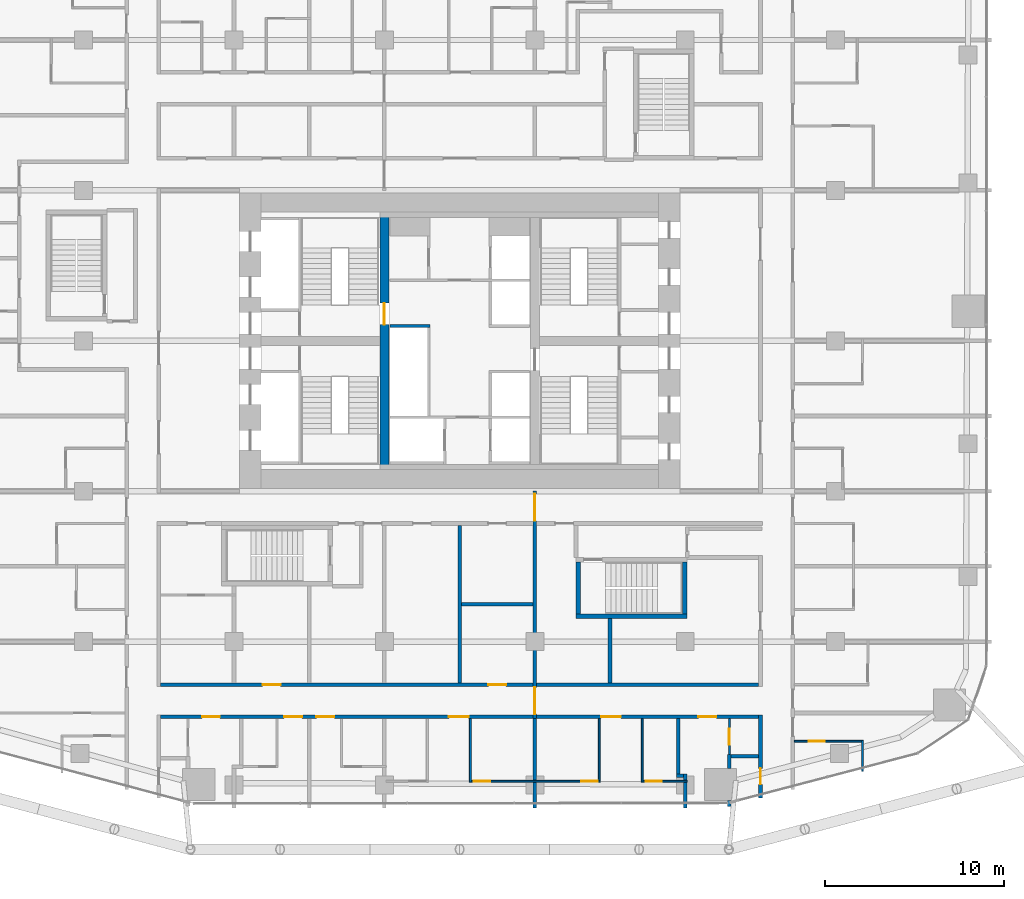
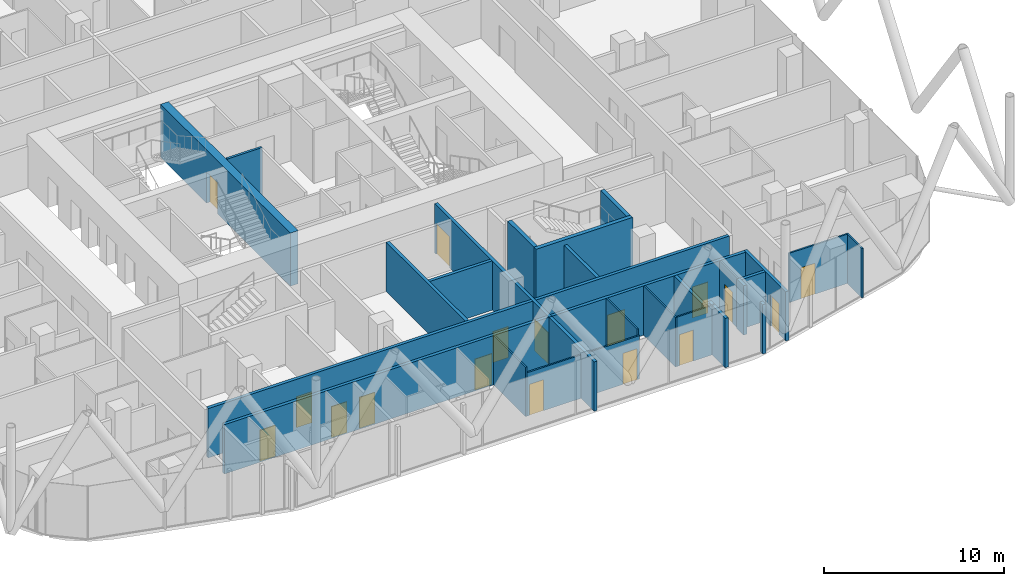
# One storey, part 26 of 35: 27 walls, 17 doors, 17 openings.
"""IFC4 building model written with IfcOpenShell, lengths in metres."""

import ifcopenshell
import ifcopenshell.guid

model = None  # the IFC model being written
_history = None  # IfcOwnerHistory: only IFC2X3 demands one
_inside = {}  # id of a spatial element -> (the spatial element, [elements in it])
_under = {}  # id of a project, library or spatial element -> (it, [spatial elements below it])
_declared = {}  # id of a project -> (the project, [libraries it declares])
_typed = {}  # id of a type object -> (the type object, [elements of that type])
_made_of = {}  # id of a material, layer set ... -> (it, [elements and type objects made of it])


def new_model(schema):
    """Start an empty IFC model of exactly this schema.

    Asked for "IFC4X3", IfcOpenShell would pick the latest addendum, in which some entities
    have other attributes; the version numbers below select the first issue.
    IFC2X3 requires an IfcOwnerHistory on every rooted entity: one is made here for all.
    """
    global model, _history
    if schema == "IFC4X3":
        model = ifcopenshell.file(schema_version=(4, 3, 0, 0))
    else:
        model = ifcopenshell.file(schema=schema)
    _inside.clear()
    _under.clear()
    _declared.clear()
    _typed.clear()
    _made_of.clear()
    _history = None
    if model.schema == "IFC2X3":
        org = make("IfcOrganization", Name="unknown")
        user = make(
            "IfcPersonAndOrganization",
            ThePerson=make("IfcPerson", FamilyName="unknown"),
            TheOrganization=org,
        )
        app = make(
            "IfcApplication",
            ApplicationDeveloper=org,
            Version="unknown",
            ApplicationFullName="unknown",
            ApplicationIdentifier="unknown",
        )
        _history = make(
            "IfcOwnerHistory",
            OwningUser=user,
            OwningApplication=app,
            ChangeAction="ADDED",
            CreationDate=0,
        )
    return model


def make(cls, **values):
    """One entity of the class cls with the attributes given. An attribute that is None is left unset."""
    return model.create_entity(
        cls, **{name: value for name, value in values.items() if value is not None}
    )


def rooted(cls, **values):
    """An entity with a GlobalId (a new one), such as an element, a storey or a relation."""
    return make(cls, GlobalId=ifcopenshell.guid.new(), OwnerHistory=_history, **values)


def si_unit(unit_type, name, prefix=None):
    """IfcSIUnit, for example si_unit("LENGTHUNIT", "METRE", prefix="MILLI")."""
    return make("IfcSIUnit", UnitType=unit_type, Prefix=prefix, Name=name)


def assignment(units):
    """IfcUnitAssignment: the units of a project."""
    return None if units is None else make("IfcUnitAssignment", Units=units)


def point(xyz):
    """IfcCartesianPoint."""
    return None if xyz is None else make("IfcCartesianPoint", Coordinates=xyz)


def direction(xyz):
    """IfcDirection."""
    return None if xyz is None else make("IfcDirection", DirectionRatios=xyz)


def frame(location, z_axis=None, x_axis=None):
    """IfcAxis2Placement3D, a coordinate frame: its origin and axes. An axis left out is left unset."""
    return make(
        "IfcAxis2Placement3D",
        Location=point(location),
        Axis=direction(z_axis),
        RefDirection=direction(x_axis),
    )


def frame_2d(location, x_axis=None):
    """IfcAxis2Placement2D, a coordinate frame in the plane: its origin and x axis."""
    return make(
        "IfcAxis2Placement2D", Location=point(location), RefDirection=direction(x_axis)
    )


def origin():
    """The frame at (0, 0, 0) with its axes left unset."""
    return frame((0.0, 0.0, 0.0))


def place(relative_to, where):
    """IfcLocalPlacement: puts the frame where relative to a parent placement (None: the world)."""
    return make(
        "IfcLocalPlacement", PlacementRelTo=relative_to, RelativePlacement=where
    )


def context(
    kind, dimensions, precision=None, world=None, true_north=None, identifier=None
):
    """IfcGeometricRepresentationContext, for example the 3D "Model" context."""
    return make(
        "IfcGeometricRepresentationContext",
        ContextIdentifier=identifier,
        ContextType=kind,
        CoordinateSpaceDimension=dimensions,
        Precision=precision,
        WorldCoordinateSystem=world,
        TrueNorth=true_north,
    )


def subcontext(parent, identifier, kind, view, scale=None):
    """IfcGeometricRepresentationSubContext, for example "Body" below "Model"."""
    return make(
        "IfcGeometricRepresentationSubContext",
        ContextIdentifier=identifier,
        ContextType=kind,
        ParentContext=parent,
        TargetScale=scale,
        TargetView=view,
    )


def project(units=None, contexts=None):
    """IfcProject with its units and contexts."""
    return rooted(
        "IfcProject",
        Name="project",
        RepresentationContexts=contexts,
        UnitsInContext=assignment(units),
    )


def spatial(cls, under=None, at=None, **own):
    """A site, building, storey or space (cls), placed at a placement, below another one or the project."""
    s = rooted(cls, ObjectPlacement=at, **own)
    if under is not None:
        _under.setdefault(under.id(), (under, []))[1].append(s)
    return s


def profile(cls, at=None, kind="AREA", **sizes):
    """A parametric profile (cls). Its sizes go by their IFC names, for example OverallWidth=200.0."""
    return make(cls, ProfileType=kind, Position=at, **sizes)


def rectangle(**sizes):
    """IfcRectangleProfileDef."""
    return profile("IfcRectangleProfileDef", **sizes)


def extrude(swept, where, along, depth):
    """IfcExtrudedAreaSolid: the profile swept, set in the frame where, extruded along a direction by depth."""
    return make(
        "IfcExtrudedAreaSolid",
        SweptArea=swept,
        Position=where,
        ExtrudedDirection=direction(along),
        Depth=depth,
    )


def shape(context_of_items, identifier, shape_type, items):
    """IfcShapeRepresentation: the items that make up one representation, for example the "Body"."""
    return make(
        "IfcShapeRepresentation",
        ContextOfItems=context_of_items,
        RepresentationIdentifier=identifier,
        RepresentationType=shape_type,
        Items=items,
    )


def material(Name=None, Category=None):
    """IfcMaterial."""
    return make("IfcMaterial", Name=Name, Category=Category)


def layer(
    of_material, thickness, ventilated=None, Name=None, Category=None, Priority=None
):
    """IfcMaterialLayer: one layer of a wall or slab, of a material (None: an air gap)."""
    return make(
        "IfcMaterialLayer",
        Material=of_material,
        LayerThickness=thickness,
        IsVentilated=ventilated,
        Name=Name,
        Category=Category,
        Priority=Priority,
    )


def layer_set(layers, Name=None):
    """IfcMaterialLayerSet."""
    return make("IfcMaterialLayerSet", MaterialLayers=layers, LayerSetName=Name)


def made_of(thing, what):
    """Note that an element or type object is made of a material, layer set ...; save() writes the relation."""
    if what is not None:
        _made_of.setdefault(what.id(), (what, []))[1].append(thing)
    return thing


def type_object(cls, material=None, **own):
    """A type object (cls), such as IfcWallType, which elements share."""
    return made_of(rooted(cls, **own), material)


def element(
    cls,
    number,
    at=None,
    inside=None,
    cuts=None,
    type_object=None,
    material=None,
    context=None,
    identifier="Body",
    shape_type=None,
    held_by="IfcProductDefinitionShape",
    body=None,
    shapes=None,
    **own,
):
    """One element of the class cls, such as IfcWall. Its Tag is "e" and its number.

    at: its placement. inside: the storey or other place that contains it. cuts: it is an
    opening in that element (IfcRelVoidsElement). A single representation is given by context,
    identifier, shape_type and body (its items); several are given by shapes. held_by: the class
    of the entity that holds the representations. save() writes the other relations.
    """
    e = rooted(cls, Tag="e%d" % number, ObjectPlacement=at, **own)
    if body is not None:
        shapes = [shape(context, identifier, shape_type, body)]
    if shapes is not None:
        e.Representation = make(held_by, Representations=shapes)
    if inside is not None:
        _inside.setdefault(inside.id(), (inside, []))[1].append(e)
    if cuts is not None:
        rooted(
            "IfcRelVoidsElement", RelatingBuildingElement=cuts, RelatedOpeningElement=e
        )
    if type_object is not None:
        _typed.setdefault(type_object.id(), (type_object, []))[1].append(e)
    return made_of(e, material)


def fill(opening, filler):
    """IfcRelFillsElement: the door or window that sits in an opening."""
    return rooted(
        "IfcRelFillsElement",
        RelatingOpeningElement=opening,
        RelatedBuildingElement=filler,
    )


def aggregate(whole, parts):
    """IfcRelAggregates: a whole, such as a stair, and the parts it consists of."""
    return rooted("IfcRelAggregates", RelatingObject=whole, RelatedObjects=parts)


def save(model, path):
    """Write the relations noted so far, then the file.

    IfcRelAggregates (storeys below a building ...), IfcRelContainedInSpatialStructure (elements
    in a storey), IfcRelDefinesByType, IfcRelAssociatesMaterial and IfcRelDeclares: one each for
    every whole, place, type object, material and project.
    """
    for whole, parts in _under.values():
        aggregate(whole, parts)
    for where, things in _inside.values():
        rooted(
            "IfcRelContainedInSpatialStructure",
            RelatedElements=things,
            RelatingStructure=where,
        )
    for kind, things in _typed.values():
        rooted("IfcRelDefinesByType", RelatedObjects=things, RelatingType=kind)
    for what, things in _made_of.values():
        rooted("IfcRelAssociatesMaterial", RelatedObjects=things, RelatingMaterial=what)
    for by, libraries in _declared.values():
        rooted("IfcRelDeclares", RelatingContext=by, RelatedDefinitions=libraries)
    model.write(path)


model = new_model("IFC4")

# Units and contexts
model_context = context("Model", 3, precision=1e-05, world=origin(), true_north=direction((0.0, 1.0)))
body_context = subcontext(model_context, "Body", "Model", "MODEL_VIEW")
ifc_project = project(units=[si_unit("LENGTHUNIT", "METRE"), si_unit("AREAUNIT", "SQUARE_METRE"), si_unit("VOLUMEUNIT", "CUBIC_METRE"), si_unit("PLANEANGLEUNIT", "RADIAN"), si_unit("MASSUNIT", "GRAM", prefix="KILO")], contexts=[model_context])

# Site, building, storey
site_placement = place(None, origin())
site = spatial("IfcSite", under=ifc_project, at=site_placement, CompositionType="ELEMENT")
building_placement = place(site_placement, origin())
building = spatial("IfcBuilding", under=site, at=building_placement, Name="Marenta Gate Hotel Tower", CompositionType="ELEMENT")
storey_placement = place(building_placement, frame((0.0, 0.0, 61.699951171875)))
storey = spatial("IfcBuildingStorey", under=building, at=storey_placement, Name="L13", CompositionType="ELEMENT", Elevation=61.699951171875)

# Wall
ifc_material_1 = material(Name="Concrete blockwork", Category="masonry")
ifc_layer_1 = layer(ifc_material_1, 0.199951171875)
ifc_layer_set_1 = layer_set([ifc_layer_1], Name="Concrete blockwork")
wall_type_1 = type_object("IfcWallType", Name="Compartment wall 200 REI 180", PredefinedType="PARTITIONING", material=ifc_layer_set_1)
wall_1_placement = place(storey_placement, frame((4.199951171875, -17.699951171875, 0.0), z_axis=(0.0, 0.0, 1.0), x_axis=(0.0, 1.0, 0.0)))
element("IfcWall", 1, at=wall_1_placement, inside=storey, type_object=wall_type_1, Name="L13-PTN-W052", PredefinedType="PARTITIONING", context=body_context, shape_type="SweptSolid", body=[
    extrude(rectangle(XDim=5.0, YDim=0.199951171875, at=frame_2d((2.5, 0.0))), origin(), (0.0, 0.0, 1.0), 3.340087890625),
])

# Wall, openings, doors
wall_2_placement = place(storey_placement, frame((4.199951171875, -12.699951171875, 0.0), z_axis=(0.0, 0.0, 1.0), x_axis=(0.0, 1.0, 0.0)))
wall_2 = element("IfcWall", 2, at=wall_2_placement, inside=storey, type_object=wall_type_1, Name="L13-PTN-W053", PredefinedType="PARTITIONING", context=body_context, shape_type="SweptSolid", body=[
    extrude(rectangle(XDim=12.699951171875, YDim=0.199951171875, at=frame_2d((6.35009765625, 0.0))), origin(), (0.0, 0.0, 1.0), 3.340087890625),
])
opening_1_placement = place(wall_2_placement, frame((11.050048828125, 0.0, 0.0)))
opening_1 = element("IfcOpeningElement", 3, at=opening_1_placement, cuts=wall_2, Name="Opening G04-FD3", PredefinedType="OPENING", context=body_context, shape_type="SweptSolid", body=[
    extrude(rectangle(XDim=1.5, YDim=2.10009765625, at=frame_2d((0.75, 1.050048828125))), frame((0.0, 0.10009765625, 0.0), z_axis=(0.0, -1.0, 0.0), x_axis=(1.0, 0.0, 0.0)), (0.0, 0.0, 1.0), 0.199951171875),
])
opening_2_placement = place(wall_2_placement, frame((0.25, 0.0, 0.0)))
opening_2 = element("IfcOpeningElement", 4, at=opening_2_placement, cuts=wall_2, Name="Opening G04-FD4", PredefinedType="OPENING", context=body_context, shape_type="SweptSolid", body=[
    extrude(rectangle(XDim=1.5, YDim=2.10009765625, at=frame_2d((0.75, 1.050048828125))), frame((0.0, 0.10009765625, 0.0), z_axis=(0.0, -1.0, 0.0), x_axis=(1.0, 0.0, 0.0)), (0.0, 0.0, 1.0), 0.199951171875),
])
ifc_material_2 = material(Name="Hollow steel door set", Category="steel")
door_type_1 = type_object("IfcDoorType", Name="Compartment fire door 1500x2100 EI 60", OperationType="DOUBLE_DOOR_DOUBLE_SWING", PredefinedType="DOOR", material=ifc_material_2)
door_1_placement = place(opening_1_placement, origin())
door_1 = element("IfcDoor", 5, at=door_1_placement, inside=storey, type_object=door_type_1, Name="L13-PD-FD03", OperationType="DOUBLE_DOOR_DOUBLE_SWING", OverallHeight=2.10009765625, OverallWidth=1.5, PredefinedType="DOOR", context=body_context, shape_type="SweptSolid", body=[
    extrude(rectangle(XDim=1.5, YDim=2.10009765625, at=frame_2d((0.75, 1.050048828125))), frame((0.0, 0.02490234375, 0.0), z_axis=(0.0, -1.0, 0.0), x_axis=(1.0, 0.0, 0.0)), (0.0, 0.0, 1.0), 0.050048828125),
])
fill(opening_1, door_1)
door_2_placement = place(opening_2_placement, origin())
door_2 = element("IfcDoor", 6, at=door_2_placement, inside=storey, type_object=door_type_1, Name="L13-PD-FD04", OperationType="DOUBLE_DOOR_DOUBLE_SWING", OverallHeight=2.10009765625, OverallWidth=1.5, PredefinedType="DOOR", context=body_context, shape_type="SweptSolid", body=[
    extrude(rectangle(XDim=1.5, YDim=2.10009765625, at=frame_2d((0.75, 1.050048828125))), frame((0.0, 0.02490234375, 0.0), z_axis=(0.0, -1.0, 0.0), x_axis=(1.0, 0.0, 0.0)), (0.0, 0.0, 1.0), 0.050048828125),
])
fill(opening_2, door_2)

# Wall
ifc_material_3 = material(Name="Concrete C40", Category="concrete")
ifc_layer_2 = layer(ifc_material_3, 0.14990234375)
ifc_layer_set_2 = layer_set([ifc_layer_2], Name="Concrete C40")
wall_type_2 = type_object("IfcWallType", Name="Core shaft wall 150 REI 180", PredefinedType="SHEAR", material=ifc_layer_set_2)
wall_3_placement = place(storey_placement, frame((-3.89990234375, 9.22509765625, 0.0), z_axis=(0.0, 0.0, 1.0), x_axis=(1.0, 0.0, 0.0)))
element("IfcWall", 7, at=wall_3_placement, inside=storey, type_object=wall_type_2, Name="L13-SHF-CW-W-sep", PredefinedType="SHEAR", context=body_context, shape_type="SweptSolid", body=[
    extrude(rectangle(XDim=2.25, YDim=0.14990234375, at=frame_2d((1.125, 0.0))), origin(), (0.0, 0.0, 1.0), 3.60009765625),
])

# Wall, opening, door
ifc_material_4 = material(Name="Concrete C80", Category="concrete")
ifc_layer_3 = layer(ifc_material_4, 0.5)
ifc_layer_set_3 = layer_set([ifc_layer_3], Name="Concrete C80")
wall_type_3 = type_object("IfcWallType", Name="Core web 500 C80", PredefinedType="SHEAR", material=ifc_layer_set_3)
wall_4_placement = place(storey_placement, frame((-4.199951171875, 1.199951171875, 0.0), z_axis=(0.0, 0.0, 1.0), x_axis=(0.0, 1.0, 0.0)))
wall_4 = element("IfcWall", 8, at=wall_4_placement, inside=storey, type_object=wall_type_3, Name="L13-CORE-W1", PredefinedType="SHEAR", context=body_context, shape_type="SweptSolid", body=[
    extrude(rectangle(XDim=14.400146484375, YDim=0.5, at=frame_2d((7.2001953125, 0.0))), origin(), (0.0, 0.0, 1.0), 3.60009765625),
])
opening_3_placement = place(wall_4_placement, frame((8.10009765625, 0.0, 0.0)))
opening_3 = element("IfcOpeningElement", 9, at=opening_3_placement, cuts=wall_4, Name="Opening WD-W", PredefinedType="OPENING", context=body_context, shape_type="SweptSolid", body=[
    extrude(rectangle(XDim=1.199951171875, YDim=2.10009765625, at=frame_2d((0.60009765625, 1.050048828125))), frame((0.0, 0.25, 0.0), z_axis=(0.0, -1.0, 0.0), x_axis=(1.0, 0.0, 0.0)), (0.0, 0.0, 1.0), 0.5),
])
ifc_material_5 = material(Name="Steel", Category="steel")
door_type_2 = type_object("IfcDoorType", Name="Core stair door 1200x2100 FD60", OperationType="SINGLE_SWING_LEFT", PredefinedType="DOOR", material=ifc_material_5)
door_3_placement = place(opening_3_placement, origin())
door_3 = element("IfcDoor", 10, at=door_3_placement, inside=storey, type_object=door_type_2, Name="WD-W", OperationType="SINGLE_SWING_LEFT", OverallHeight=2.10009765625, OverallWidth=1.199951171875, PredefinedType="DOOR", context=body_context, shape_type="SweptSolid", body=[
    extrude(rectangle(XDim=1.199951171875, YDim=2.10009765625, at=frame_2d((0.60009765625, 1.050048828125))), frame((0.0, 0.02490234375, 0.0), z_axis=(0.0, -1.0, 0.0), x_axis=(1.0, 0.0, 0.0)), (0.0, 0.0, 1.0), 0.050048828125),
])
fill(opening_3, door_3)

# Walls
ifc_material_6 = material(Name="Concrete C40", Category="concrete")
ifc_layer_4 = layer(ifc_material_6, 0.25)
ifc_layer_set_4 = layer_set([ifc_layer_4], Name="Concrete C40")
wall_type_4 = type_object("IfcWallType", Name="Remote stair enclosure wall 250 REI 180", PredefinedType="SHEAR", material=ifc_layer_set_4)
wall_5_placement = place(storey_placement, frame((6.5, -6.97509765625, 0.10009765625), z_axis=(0.0, 0.0, 1.0), x_axis=(1.0, 0.0, 0.0)))
element("IfcWall", 11, at=wall_5_placement, inside=storey, type_object=wall_type_4, Name="L13-RS-Z1-1-W1", PredefinedType="SHEAR", context=body_context, shape_type="SweptSolid", body=[
    extrude(rectangle(XDim=6.199951171875, YDim=0.25, at=frame_2d((3.10009765625, 0.0))), origin(), (0.0, 0.0, 1.0), 3.599853515625),
])
for number, where, z_axis, x_axis, name in (
    (12, (6.625, -6.85009765625, 0.10009765625), (0.0, 0.0, 1.0), (0.0, 1.0, 0.0), "L13-RS-Z1-1-W3"),
    (13, (12.574951171875, -6.85009765625, 0.10009765625), (0.0, 0.0, 1.0), (0.0, 1.0, 0.0), "L13-RS-Z1-1-W4"),
):
    element("IfcWall", number, at=place(storey_placement, frame(where, z_axis=z_axis, x_axis=x_axis)), inside=storey, type_object=wall_type_4, Name=name, PredefinedType="SHEAR", context=body_context, shape_type="SweptSolid", body=[
        extrude(rectangle(XDim=2.900146484375, YDim=0.25, at=frame_2d((1.4501953125, 0.0))), origin(), (0.0, 0.0, 1.0), 3.599853515625),
    ])

# Wall, opening, door
ifc_material_7 = material(Name="Concrete blockwork", Category="masonry")
ifc_layer_5 = layer(ifc_material_7, 0.199951171875)
ifc_layer_set_5 = layer_set([ifc_layer_5], Name="Concrete blockwork")
wall_type_5 = type_object("IfcWallType", Name="Room corridor wall 200 EI 120", PredefinedType="PARTITIONING", material=ifc_layer_set_5)
wall_6_placement = place(storey_placement, frame((16.800048828125, -17.14306640625, 0.0), z_axis=(0.0, 0.0, 1.0), x_axis=(0.0, 1.0, 0.0)))
wall_6 = element("IfcWall", 14, at=wall_6_placement, inside=storey, type_object=wall_type_5, Name="L13-PTN-W010", PredefinedType="PARTITIONING", context=body_context, shape_type="SweptSolid", body=[
    extrude(rectangle(XDim=4.64306640625, YDim=0.199951171875, at=frame_2d((2.321533203125, 0.0))), origin(), (0.0, 0.0, 1.0), 3.340087890625),
])
opening_4_placement = place(wall_6_placement, frame((0.77099609375, 0.0, 0.0)))
opening_4 = element("IfcOpeningElement", 15, at=opening_4_placement, cuts=wall_6, Name="Opening G04-85", PredefinedType="OPENING", context=body_context, shape_type="SweptSolid", body=[
    extrude(rectangle(XDim=0.89990234375, YDim=2.10009765625, at=frame_2d((0.449951171875, 1.050048828125))), frame((0.0, 0.10009765625, 0.0), z_axis=(0.0, -1.0, 0.0), x_axis=(1.0, 0.0, 0.0)), (0.0, 0.0, 1.0), 0.199951171875),
])
ifc_material_8 = material(Name="Hollow steel door set", Category="steel")
door_type_3 = type_object("IfcDoorType", Name="Room service door 900x2100 EI 60", OperationType="NOTDEFINED", PredefinedType="DOOR", material=ifc_material_8)
door_4_placement = place(opening_4_placement, origin())
door_4 = element("IfcDoor", 16, at=door_4_placement, inside=storey, type_object=door_type_3, Name="L13-PD-D085", OperationType="SINGLE_SWING_RIGHT", OverallHeight=2.10009765625, OverallWidth=0.89990234375, PredefinedType="DOOR", context=body_context, shape_type="SweptSolid", body=[
    extrude(rectangle(XDim=0.89990234375, YDim=2.10009765625, at=frame_2d((0.449951171875, 1.050048828125))), frame((0.0, 0.02490234375, 0.0), z_axis=(0.0, -1.0, 0.0), x_axis=(1.0, 0.0, 0.0)), (0.0, 0.0, 1.0), 0.050048828125),
])
fill(opening_4, door_4)

# Wall, openings, doors
ifc_material_9 = material(Name="Gypsum board on steel stud", Category="steel")
ifc_layer_6 = layer(ifc_material_9, 0.199951171875)
ifc_layer_set_6 = layer_set([ifc_layer_6], Name="Gypsum board on steel stud")
wall_type_6 = type_object("IfcWallType", Name="Room corridor wall 200 EI 60", PredefinedType="PARTITIONING", material=ifc_layer_set_6)
wall_7_placement = place(storey_placement, frame((-16.699951171875, -12.60009765625, 0.0), z_axis=(0.0, 0.0, 1.0), x_axis=(1.0, 0.0, 0.0)))
wall_7 = element("IfcWall", 17, at=wall_7_placement, inside=storey, type_object=wall_type_6, Name="L13-PTN-W030", PredefinedType="PARTITIONING", context=body_context, shape_type="SweptSolid", body=[
    extrude(rectangle(XDim=33.39990234375, YDim=0.199951171875, at=frame_2d((16.699951171875, 0.0))), origin(), (0.0, 0.0, 1.0), 3.340087890625),
])
opening_5_placement = place(wall_7_placement, frame((6.89990234375, 0.0, 0.0)))
opening_5 = element("IfcOpeningElement", 18, at=opening_5_placement, cuts=wall_7, Name="Opening G04-40", PredefinedType="OPENING", context=body_context, shape_type="SweptSolid", body=[
    extrude(rectangle(XDim=1.0, YDim=2.10009765625, at=frame_2d((0.5, 1.050048828125))), frame((0.0, 0.10009765625, 0.0), z_axis=(0.0, -1.0, 0.0), x_axis=(1.0, 0.0, 0.0)), (0.0, 0.0, 1.0), 0.199951171875),
])
opening_6_placement = place(wall_7_placement, frame((8.699951171875, 0.0, 0.0)))
opening_6 = element("IfcOpeningElement", 19, at=opening_6_placement, cuts=wall_7, Name="Opening G04-42", PredefinedType="OPENING", context=body_context, shape_type="SweptSolid", body=[
    extrude(rectangle(XDim=1.0, YDim=2.10009765625, at=frame_2d((0.5, 1.050048828125))), frame((0.0, 0.10009765625, 0.0), z_axis=(0.0, -1.0, 0.0), x_axis=(1.0, 0.0, 0.0)), (0.0, 0.0, 1.0), 0.199951171875),
])
opening_7_placement = place(wall_7_placement, frame((16.10009765625, 0.0, 0.0)))
opening_7 = element("IfcOpeningElement", 20, at=opening_7_placement, cuts=wall_7, Name="Opening G04-44", PredefinedType="OPENING", context=body_context, shape_type="SweptSolid", body=[
    extrude(rectangle(XDim=1.10009765625, YDim=2.10009765625, at=frame_2d((0.550048828125, 1.050048828125))), frame((0.0, 0.10009765625, 0.0), z_axis=(0.0, -1.0, 0.0), x_axis=(1.0, 0.0, 0.0)), (0.0, 0.0, 1.0), 0.199951171875),
])
opening_8_placement = place(wall_7_placement, frame((24.60009765625, 0.0, 0.0)))
opening_8 = element("IfcOpeningElement", 21, at=opening_8_placement, cuts=wall_7, Name="Opening G04-47", PredefinedType="OPENING", context=body_context, shape_type="SweptSolid", body=[
    extrude(rectangle(XDim=1.10009765625, YDim=2.10009765625, at=frame_2d((0.550048828125, 1.050048828125))), frame((0.0, 0.10009765625, 0.0), z_axis=(0.0, -1.0, 0.0), x_axis=(1.0, 0.0, 0.0)), (0.0, 0.0, 1.0), 0.199951171875),
])
opening_9_placement = place(wall_7_placement, frame((2.31689453125, 0.0, 0.0)))
opening_9 = element("IfcOpeningElement", 22, at=opening_9_placement, cuts=wall_7, Name="Opening G04-80", PredefinedType="OPENING", context=body_context, shape_type="SweptSolid", body=[
    extrude(rectangle(XDim=1.0, YDim=2.10009765625, at=frame_2d((0.5, 1.050048828125))), frame((0.0, 0.10009765625, 0.0), z_axis=(0.0, -1.0, 0.0), x_axis=(1.0, 0.0, 0.0)), (0.0, 0.0, 1.0), 0.199951171875),
])
opening_10_placement = place(wall_7_placement, frame((30.032958984375, 0.0, 0.0)))
opening_10 = element("IfcOpeningElement", 23, at=opening_10_placement, cuts=wall_7, Name="Opening G04-83", PredefinedType="OPENING", context=body_context, shape_type="SweptSolid", body=[
    extrude(rectangle(XDim=1.0, YDim=2.10009765625, at=frame_2d((0.5, 1.050048828125))), frame((0.0, 0.10009765625, 0.0), z_axis=(0.0, -1.0, 0.0), x_axis=(1.0, 0.0, 0.0)), (0.0, 0.0, 1.0), 0.199951171875),
])
ifc_material_10 = material(Name="Timber door leaf", Category="wood")
door_type_4 = type_object("IfcDoorType", Name="Guest room door 1000x2100 EI 30", OperationType="NOTDEFINED", PredefinedType="DOOR", material=ifc_material_10)
door_5_placement = place(opening_5_placement, origin())
door_5 = element("IfcDoor", 24, at=door_5_placement, inside=storey, type_object=door_type_4, Name="L13-PD-D040", OperationType="SINGLE_SWING_RIGHT", OverallHeight=2.10009765625, OverallWidth=1.0, PredefinedType="DOOR", context=body_context, shape_type="SweptSolid", body=[
    extrude(rectangle(XDim=1.0, YDim=2.10009765625, at=frame_2d((0.5, 1.050048828125))), frame((0.0, 0.02490234375, 0.0), z_axis=(0.0, -1.0, 0.0), x_axis=(1.0, 0.0, 0.0)), (0.0, 0.0, 1.0), 0.050048828125),
])
fill(opening_5, door_5)
door_6_placement = place(opening_6_placement, origin())
door_6 = element("IfcDoor", 25, at=door_6_placement, inside=storey, type_object=door_type_4, Name="L13-PD-D042", OperationType="SINGLE_SWING_RIGHT", OverallHeight=2.10009765625, OverallWidth=1.0, PredefinedType="DOOR", context=body_context, shape_type="SweptSolid", body=[
    extrude(rectangle(XDim=1.0, YDim=2.10009765625, at=frame_2d((0.5, 1.050048828125))), frame((0.0, 0.02490234375, 0.0), z_axis=(0.0, -1.0, 0.0), x_axis=(1.0, 0.0, 0.0)), (0.0, 0.0, 1.0), 0.050048828125),
])
fill(opening_6, door_6)
door_7_placement = place(opening_9_placement, origin())
door_7 = element("IfcDoor", 26, at=door_7_placement, inside=storey, type_object=door_type_4, Name="L13-PD-D080", OperationType="SINGLE_SWING_RIGHT", OverallHeight=2.10009765625, OverallWidth=1.0, PredefinedType="DOOR", context=body_context, shape_type="SweptSolid", body=[
    extrude(rectangle(XDim=1.0, YDim=2.10009765625, at=frame_2d((0.5, 1.050048828125))), frame((0.0, 0.02490234375, 0.0), z_axis=(0.0, -1.0, 0.0), x_axis=(1.0, 0.0, 0.0)), (0.0, 0.0, 1.0), 0.050048828125),
])
fill(opening_9, door_7)
door_8_placement = place(opening_10_placement, origin())
door_8 = element("IfcDoor", 27, at=door_8_placement, inside=storey, type_object=door_type_4, Name="L13-PD-D083", OperationType="SINGLE_SWING_LEFT", OverallHeight=2.10009765625, OverallWidth=1.0, PredefinedType="DOOR", context=body_context, shape_type="SweptSolid", body=[
    extrude(rectangle(XDim=1.0, YDim=2.10009765625, at=frame_2d((0.5, 1.050048828125))), frame((0.0, 0.02490234375, 0.0), z_axis=(0.0, -1.0, 0.0), x_axis=(1.0, 0.0, 0.0)), (0.0, 0.0, 1.0), 0.050048828125),
])
fill(opening_10, door_8)
ifc_material_11 = material(Name="Timber door leaf", Category="wood")
door_type_5 = type_object("IfcDoorType", Name="Guest room door 1100x2100 EI 30", OperationType="NOTDEFINED", PredefinedType="DOOR", material=ifc_material_11)
door_9_placement = place(opening_7_placement, origin())
door_9 = element("IfcDoor", 28, at=door_9_placement, inside=storey, type_object=door_type_5, Name="L13-PD-D044", OperationType="SINGLE_SWING_LEFT", OverallHeight=2.10009765625, OverallWidth=1.10009765625, PredefinedType="DOOR", context=body_context, shape_type="SweptSolid", body=[
    extrude(rectangle(XDim=1.10009765625, YDim=2.10009765625, at=frame_2d((0.550048828125, 1.050048828125))), frame((0.0, 0.02490234375, 0.0), z_axis=(0.0, -1.0, 0.0), x_axis=(1.0, 0.0, 0.0)), (0.0, 0.0, 1.0), 0.050048828125),
])
fill(opening_7, door_9)
door_10_placement = place(opening_8_placement, origin())
door_10 = element("IfcDoor", 29, at=door_10_placement, inside=storey, type_object=door_type_5, Name="L13-PD-D047", OperationType="SINGLE_SWING_RIGHT", OverallHeight=2.10009765625, OverallWidth=1.10009765625, PredefinedType="DOOR", context=body_context, shape_type="SweptSolid", body=[
    extrude(rectangle(XDim=1.10009765625, YDim=2.10009765625, at=frame_2d((0.550048828125, 1.050048828125))), frame((0.0, 0.02490234375, 0.0), z_axis=(0.0, -1.0, 0.0), x_axis=(1.0, 0.0, 0.0)), (0.0, 0.0, 1.0), 0.050048828125),
])
fill(opening_8, door_10)

wall_8_placement = place(storey_placement, frame((-16.699951171875, -10.800048828125, 0.0), z_axis=(0.0, 0.0, 1.0), x_axis=(1.0, 0.0, 0.0)))
wall_8 = element("IfcWall", 30, at=wall_8_placement, inside=storey, type_object=wall_type_6, Name="L13-PTN-W034", PredefinedType="PARTITIONING", context=body_context, shape_type="SweptSolid", body=[
    extrude(rectangle(XDim=33.39990234375, YDim=0.199951171875, at=frame_2d((16.699951171875, 0.0))), origin(), (0.0, 0.0, 1.0), 3.340087890625),
])
opening_11_placement = place(wall_8_placement, frame((5.699951171875, 0.0, 0.0)))
opening_11 = element("IfcOpeningElement", 31, at=opening_11_placement, cuts=wall_8, Name="Opening G04-75", PredefinedType="OPENING", context=body_context, shape_type="SweptSolid", body=[
    extrude(rectangle(XDim=1.0, YDim=2.10009765625, at=frame_2d((0.5, 1.050048828125))), frame((0.0, 0.10009765625, 0.0), z_axis=(0.0, -1.0, 0.0), x_axis=(1.0, 0.0, 0.0)), (0.0, 0.0, 1.0), 0.199951171875),
])
opening_12_placement = place(wall_8_placement, frame((18.300048828125, 0.0, 0.0)))
opening_12 = element("IfcOpeningElement", 32, at=opening_12_placement, cuts=wall_8, Name="Opening G04-76", PredefinedType="OPENING", context=body_context, shape_type="SweptSolid", body=[
    extrude(rectangle(XDim=1.0, YDim=2.10009765625, at=frame_2d((0.5, 1.050048828125))), frame((0.0, 0.10009765625, 0.0), z_axis=(0.0, -1.0, 0.0), x_axis=(1.0, 0.0, 0.0)), (0.0, 0.0, 1.0), 0.199951171875),
])
ifc_material_12 = material(Name="Timber door leaf", Category="wood")
door_type_6 = type_object("IfcDoorType", Name="Room amenity door 1000x2100 EI 30", OperationType="NOTDEFINED", PredefinedType="DOOR", material=ifc_material_12)
door_11_placement = place(opening_11_placement, origin())
door_11 = element("IfcDoor", 33, at=door_11_placement, inside=storey, type_object=door_type_6, Name="L13-PD-D075", OperationType="SINGLE_SWING_LEFT", OverallHeight=2.10009765625, OverallWidth=1.0, PredefinedType="DOOR", context=body_context, shape_type="SweptSolid", body=[
    extrude(rectangle(XDim=1.0, YDim=2.10009765625, at=frame_2d((0.5, 1.050048828125))), frame((0.0, 0.02490234375, 0.0), z_axis=(0.0, -1.0, 0.0), x_axis=(1.0, 0.0, 0.0)), (0.0, 0.0, 1.0), 0.050048828125),
])
fill(opening_11, door_11)
door_12_placement = place(opening_12_placement, origin())
door_12 = element("IfcDoor", 34, at=door_12_placement, inside=storey, type_object=door_type_6, Name="L13-PD-D076", OperationType="SINGLE_SWING_RIGHT", OverallHeight=2.10009765625, OverallWidth=1.0, PredefinedType="DOOR", context=body_context, shape_type="SweptSolid", body=[
    extrude(rectangle(XDim=1.0, YDim=2.10009765625, at=frame_2d((0.5, 1.050048828125))), frame((0.0, 0.02490234375, 0.0), z_axis=(0.0, -1.0, 0.0), x_axis=(1.0, 0.0, 0.0)), (0.0, 0.0, 1.0), 0.050048828125),
])
fill(opening_12, door_12)

# Wall
ifc_material_13 = material(Name="Gypsum board on steel stud", Category="steel")
ifc_layer_7 = layer(ifc_material_13, 0.10009765625)
ifc_layer_set_7 = layer_set([ifc_layer_7], Name="Gypsum board on steel stud")
wall_type_7 = type_object("IfcWallType", Name="Room partition 100", PredefinedType="PARTITIONING", material=ifc_layer_set_7)
wall_9_placement = place(storey_placement, frame((22.5, -15.631103515625, 0.0), z_axis=(0.0, 0.0, 1.0), x_axis=(0.0, 1.0, 0.0)))
element("IfcWall", 35, at=wall_9_placement, inside=storey, type_object=wall_type_7, Name="L13-PTN-W003", PredefinedType="PARTITIONING", context=body_context, shape_type="SweptSolid", body=[
    extrude(rectangle(XDim=1.716064453125, YDim=0.10009765625, at=frame_2d((0.85791015625, 0.0))), origin(), (0.0, 0.0, 1.0), 3.340087890625),
])

# Wall, openings, doors
wall_10_placement = place(storey_placement, frame((0.64990234375, -16.199951171875, 0.0), z_axis=(0.0, 0.0, 1.0), x_axis=(1.0, 0.0, 0.0)))
wall_10 = element("IfcWall", 36, at=wall_10_placement, inside=storey, type_object=wall_type_7, Name="L13-PTN-W015", PredefinedType="PARTITIONING", context=body_context, shape_type="SweptSolid", body=[
    extrude(rectangle(XDim=7.2001953125, YDim=0.10009765625, at=frame_2d((3.60009765625, 0.0))), origin(), (0.0, 0.0, 1.0), 2.93994140625),
])
opening_13_placement = place(wall_10_placement, frame((0.14990234375, 0.0, 0.0)))
opening_13 = element("IfcOpeningElement", 37, at=opening_13_placement, cuts=wall_10, Name="Opening G04-45", PredefinedType="OPENING", context=body_context, shape_type="SweptSolid", body=[
    extrude(rectangle(XDim=0.89990234375, YDim=2.10009765625, at=frame_2d((0.449951171875, 1.050048828125))), frame((0.0, 0.050048828125, 0.0), z_axis=(0.0, -1.0, 0.0), x_axis=(1.0, 0.0, 0.0)), (0.0, 0.0, 1.0), 0.10009765625),
])
opening_14_placement = place(wall_10_placement, frame((6.14990234375, 0.0, 0.0)))
opening_14 = element("IfcOpeningElement", 38, at=opening_14_placement, cuts=wall_10, Name="Opening G04-48", PredefinedType="OPENING", context=body_context, shape_type="SweptSolid", body=[
    extrude(rectangle(XDim=0.89990234375, YDim=2.10009765625, at=frame_2d((0.449951171875, 1.050048828125))), frame((0.0, 0.050048828125, 0.0), z_axis=(0.0, -1.0, 0.0), x_axis=(1.0, 0.0, 0.0)), (0.0, 0.0, 1.0), 0.10009765625),
])
ifc_material_14 = material(Name="Timber door leaf", Category="wood")
door_type_7 = type_object("IfcDoorType", Name="Guest bathroom door 900x2100", OperationType="NOTDEFINED", PredefinedType="DOOR", material=ifc_material_14)
door_13_placement = place(opening_13_placement, origin())
door_13 = element("IfcDoor", 39, at=door_13_placement, inside=storey, type_object=door_type_7, Name="L13-PD-D045", OperationType="SINGLE_SWING_LEFT", OverallHeight=2.10009765625, OverallWidth=0.89990234375, PredefinedType="DOOR", context=body_context, shape_type="SweptSolid", body=[
    extrude(rectangle(XDim=0.89990234375, YDim=2.10009765625, at=frame_2d((0.449951171875, 1.050048828125))), frame((0.0, 0.02490234375, 0.0), z_axis=(0.0, -1.0, 0.0), x_axis=(1.0, 0.0, 0.0)), (0.0, 0.0, 1.0), 0.050048828125),
])
fill(opening_13, door_13)
door_14_placement = place(opening_14_placement, origin())
door_14 = element("IfcDoor", 40, at=door_14_placement, inside=storey, type_object=door_type_7, Name="L13-PD-D048", OperationType="SINGLE_SWING_RIGHT", OverallHeight=2.10009765625, OverallWidth=0.89990234375, PredefinedType="DOOR", context=body_context, shape_type="SweptSolid", body=[
    extrude(rectangle(XDim=0.89990234375, YDim=2.10009765625, at=frame_2d((0.449951171875, 1.050048828125))), frame((0.0, 0.02490234375, 0.0), z_axis=(0.0, -1.0, 0.0), x_axis=(1.0, 0.0, 0.0)), (0.0, 0.0, 1.0), 0.050048828125),
])
fill(opening_14, door_14)

# Wall, opening, door
wall_11_placement = place(storey_placement, frame((10.25, -16.199951171875, 0.0), z_axis=(0.0, 0.0, 1.0), x_axis=(1.0, 0.0, 0.0)))
wall_11 = element("IfcWall", 41, at=wall_11_placement, inside=storey, type_object=wall_type_7, Name="L13-PTN-W016", PredefinedType="PARTITIONING", context=body_context, shape_type="SweptSolid", body=[
    extrude(rectangle(XDim=2.449951171875, YDim=0.10009765625, at=frame_2d((1.22509765625, 0.0))), origin(), (0.0, 0.0, 1.0), 3.340087890625),
])
opening_15_placement = place(wall_11_placement, frame((0.14990234375, 0.0, 0.0)))
opening_15 = element("IfcOpeningElement", 42, at=opening_15_placement, cuts=wall_11, Name="Opening G04-49", PredefinedType="OPENING", context=body_context, shape_type="SweptSolid", body=[
    extrude(rectangle(XDim=0.89990234375, YDim=2.10009765625, at=frame_2d((0.449951171875, 1.050048828125))), frame((0.0, 0.050048828125, 0.0), z_axis=(0.0, -1.0, 0.0), x_axis=(1.0, 0.0, 0.0)), (0.0, 0.0, 1.0), 0.10009765625),
])
ifc_material_15 = material(Name="Timber door leaf", Category="wood")
door_type_8 = type_object("IfcDoorType", Name="Room inner door 900x2100", OperationType="NOTDEFINED", PredefinedType="DOOR", material=ifc_material_15)
door_15_placement = place(opening_15_placement, origin())
door_15 = element("IfcDoor", 43, at=door_15_placement, inside=storey, type_object=door_type_8, Name="L13-PD-D049", OperationType="SINGLE_SWING_LEFT", OverallHeight=2.10009765625, OverallWidth=0.89990234375, PredefinedType="DOOR", context=body_context, shape_type="SweptSolid", body=[
    extrude(rectangle(XDim=0.89990234375, YDim=2.10009765625, at=frame_2d((0.449951171875, 1.050048828125))), frame((0.0, 0.02490234375, 0.0), z_axis=(0.0, -1.0, 0.0), x_axis=(1.0, 0.0, 0.0)), (0.0, 0.0, 1.0), 0.050048828125),
])
fill(opening_15, door_15)

wall_12_placement = place(storey_placement, frame((15.06591796875, -14.89990234375, 0.0), z_axis=(0.0, 0.0, 1.0), x_axis=(0.0, 1.0, 0.0)))
wall_12 = element("IfcWall", 44, at=wall_12_placement, inside=storey, type_object=wall_type_7, Name="L13-PTN-W022", PredefinedType="PARTITIONING", context=body_context, shape_type="SweptSolid", body=[
    extrude(rectangle(XDim=2.199951171875, YDim=0.10009765625, at=frame_2d((1.10009765625, 0.0))), origin(), (0.0, 0.0, 1.0), 3.340087890625),
])
opening_16_placement = place(wall_12_placement, frame((0.75, 0.0, 0.0)))
opening_16 = element("IfcOpeningElement", 45, at=opening_16_placement, cuts=wall_12, Name="Opening G04-84", PredefinedType="OPENING", context=body_context, shape_type="SweptSolid", body=[
    extrude(rectangle(XDim=0.89990234375, YDim=2.10009765625, at=frame_2d((0.449951171875, 1.050048828125))), frame((0.0, 0.050048828125, 0.0), z_axis=(0.0, -1.0, 0.0), x_axis=(1.0, 0.0, 0.0)), (0.0, 0.0, 1.0), 0.10009765625),
])
door_16_placement = place(opening_16_placement, origin())
door_16 = element("IfcDoor", 46, at=door_16_placement, inside=storey, type_object=door_type_7, Name="L13-PD-D084", OperationType="SINGLE_SWING_RIGHT", OverallHeight=2.10009765625, OverallWidth=0.89990234375, PredefinedType="DOOR", context=body_context, shape_type="SweptSolid", body=[
    extrude(rectangle(XDim=0.89990234375, YDim=2.10009765625, at=frame_2d((0.449951171875, 1.050048828125))), frame((0.0, 0.02490234375, 0.0), z_axis=(0.0, -1.0, 0.0), x_axis=(1.0, 0.0, 0.0)), (0.0, 0.0, 1.0), 0.050048828125),
])
fill(opening_16, door_16)

wall_13_placement = place(storey_placement, frame((18.699951171875, -13.965087890625, 0.0), z_axis=(0.0, 0.0, 1.0), x_axis=(1.0, 0.0, 0.0)))
wall_13 = element("IfcWall", 47, at=wall_13_placement, inside=storey, type_object=wall_type_7, Name="L13-PTN-W026", PredefinedType="PARTITIONING", context=body_context, shape_type="SweptSolid", body=[
    extrude(rectangle(XDim=3.75, YDim=0.10009765625, at=frame_2d((1.875, 0.0))), origin(), (0.0, 0.0, 1.0), 3.340087890625),
])
opening_17_placement = place(wall_13_placement, frame((0.794921875, 0.0, 0.0)))
opening_17 = element("IfcOpeningElement", 48, at=opening_17_placement, cuts=wall_13, Name="Opening G04-11", PredefinedType="OPENING", context=body_context, shape_type="SweptSolid", body=[
    extrude(rectangle(XDim=0.89990234375, YDim=2.10009765625, at=frame_2d((0.449951171875, 1.050048828125))), frame((0.0, 0.050048828125, 0.0), z_axis=(0.0, -1.0, 0.0), x_axis=(1.0, 0.0, 0.0)), (0.0, 0.0, 1.0), 0.10009765625),
])
door_17_placement = place(opening_17_placement, origin())
door_17 = element("IfcDoor", 49, at=door_17_placement, inside=storey, type_object=door_type_7, Name="L13-PD-D011", OperationType="SINGLE_SWING_LEFT", OverallHeight=2.10009765625, OverallWidth=0.89990234375, PredefinedType="DOOR", context=body_context, shape_type="SweptSolid", body=[
    extrude(rectangle(XDim=0.89990234375, YDim=2.10009765625, at=frame_2d((0.449951171875, 1.050048828125))), frame((0.0, 0.02490234375, 0.0), z_axis=(0.0, -1.0, 0.0), x_axis=(1.0, 0.0, 0.0)), (0.0, 0.0, 1.0), 0.050048828125),
])
fill(opening_17, door_17)

# Walls
wall_14_placement = place(storey_placement, frame((10.199951171875, -16.25, 0.0), z_axis=(0.0, 0.0, 1.0), x_axis=(0.0, 1.0, 0.0)))
element("IfcWall", 50, at=wall_14_placement, inside=storey, type_object=wall_type_7, Name="L13-PTN-W036", PredefinedType="PARTITIONING", context=body_context, shape_type="SweptSolid", body=[
    extrude(rectangle(XDim=3.550048828125, YDim=0.10009765625, at=frame_2d((1.77490234375, 0.0))), origin(), (0.0, 0.0, 1.0), 3.340087890625),
])
wall_15_placement = place(storey_placement, frame((7.800048828125, -16.14990234375, 0.0), z_axis=(0.0, 0.0, 1.0), x_axis=(0.0, 1.0, 0.0)))
element("IfcWall", 51, at=wall_15_placement, inside=storey, type_object=wall_type_7, Name="L13-PTN-W043", PredefinedType="PARTITIONING", context=body_context, shape_type="SweptSolid", body=[
    extrude(rectangle(XDim=3.449951171875, YDim=0.10009765625, at=frame_2d((1.72509765625, 0.0))), origin(), (0.0, 0.0, 1.0), 3.340087890625),
])
wall_16_placement = place(storey_placement, frame((0.60009765625, -16.25, 0.0), z_axis=(0.0, 0.0, 1.0), x_axis=(0.0, 1.0, 0.0)))
element("IfcWall", 52, at=wall_16_placement, inside=storey, type_object=wall_type_7, Name="L13-PTN-W067", PredefinedType="PARTITIONING", context=body_context, shape_type="SweptSolid", body=[
    extrude(rectangle(XDim=3.550048828125, YDim=0.10009765625, at=frame_2d((1.77490234375, 0.0))), origin(), (0.0, 0.0, 1.0), 3.340087890625),
])
ifc_material_16 = material(Name="Concrete blockwork", Category="masonry")
ifc_layer_8 = layer(ifc_material_16, 0.199951171875)
ifc_layer_set_8 = layer_set([ifc_layer_8], Name="Concrete blockwork")
wall_type_8 = type_object("IfcWallType", Name="Room party wall 200 EI 120", PredefinedType="PARTITIONING", material=ifc_layer_set_8)
wall_17_placement = place(storey_placement, frame((15.06591796875, -17.593017578125, 0.0), z_axis=(0.0, 0.0, 1.0), x_axis=(0.0, 1.0, 0.0)))
element("IfcWall", 53, at=wall_17_placement, inside=storey, type_object=wall_type_8, Name="L13-PTN-W021", PredefinedType="PARTITIONING", context=body_context, shape_type="SweptSolid", body=[
    extrude(rectangle(XDim=0.318115234375, YDim=0.199951171875, at=frame_2d((0.1591796875, 0.0))), origin(), (0.0, 0.0, 1.0), 3.340087890625),
])
wall_18_placement = place(storey_placement, frame((15.06591796875, -15.47509765625, 0.0), z_axis=(0.0, 0.0, 1.0), x_axis=(0.0, 1.0, 0.0)))
element("IfcWall", 54, at=wall_18_placement, inside=storey, type_object=wall_type_8, Name="L13-PTN-W156", PredefinedType="PARTITIONING", context=body_context, shape_type="SweptSolid", body=[
    extrude(rectangle(XDim=0.775146484375, YDim=0.199951171875, at=frame_2d((0.3876953125, 0.0))), origin(), (0.0, 0.0, 1.0), 3.340087890625),
])
wall_19_placement = place(storey_placement, frame((15.115966796875, -14.800048828125, 0.0), z_axis=(0.0, 0.0, 1.0), x_axis=(1.0, 0.0, 0.0)))
element("IfcWall", 55, at=wall_19_placement, inside=storey, type_object=wall_type_8, Name="L13-PTN-W024", PredefinedType="PARTITIONING", context=body_context, shape_type="SweptSolid", body=[
    extrude(rectangle(XDim=1.583984375, YDim=0.199951171875, at=frame_2d((0.7919921875, 0.0))), origin(), (0.0, 0.0, 1.0), 3.340087890625),
])
ifc_material_17 = material(Name="Gypsum board on steel stud", Category="steel")
ifc_layer_9 = layer(ifc_material_17, 0.199951171875)
ifc_layer_set_9 = layer_set([ifc_layer_9], Name="Gypsum board on steel stud")
wall_type_9 = type_object("IfcWallType", Name="Room party wall 200 EI 60", PredefinedType="PARTITIONING", material=ifc_layer_set_9)
wall_20_placement = place(storey_placement, frame((12.10009765625, -15.89990234375, 0.0), z_axis=(0.0, 0.0, 1.0), x_axis=(1.0, 0.0, 0.0)))
element("IfcWall", 56, at=wall_20_placement, inside=storey, type_object=wall_type_9, Name="L13-PTN-W017", PredefinedType="PARTITIONING", context=body_context, shape_type="SweptSolid", body=[
    extrude(rectangle(XDim=0.39990234375, YDim=0.199951171875, at=frame_2d((0.199951171875, 0.0))), origin(), (0.0, 0.0, 1.0), 3.340087890625),
])
wall_21_placement = place(storey_placement, frame((12.60009765625, -17.699951171875, 0.0), z_axis=(0.0, 0.0, 1.0), x_axis=(0.0, 1.0, 0.0)))
element("IfcWall", 57, at=wall_21_placement, inside=storey, type_object=wall_type_9, Name="L13-PTN-W029", PredefinedType="PARTITIONING", context=body_context, shape_type="SweptSolid", body=[
    extrude(rectangle(XDim=1.89990234375, YDim=0.199951171875, at=frame_2d((0.949951171875, 0.0))), origin(), (0.0, 0.0, 1.0), 3.340087890625),
])
wall_22_placement = place(storey_placement, frame((12.199951171875, -15.800048828125, 0.0), z_axis=(0.0, 0.0, 1.0), x_axis=(0.0, 1.0, 0.0)))
element("IfcWall", 58, at=wall_22_placement, inside=storey, type_object=wall_type_9, Name="L13-PTN-W033", PredefinedType="PARTITIONING", context=body_context, shape_type="SweptSolid", body=[
    extrude(rectangle(XDim=3.10009765625, YDim=0.199951171875, at=frame_2d((1.550048828125, 0.0))), origin(), (0.0, 0.0, 1.0), 3.340087890625),
])
wall_23_placement = place(storey_placement, frame((8.39990234375, -10.699951171875, 0.0), z_axis=(0.0, 0.0, 1.0), x_axis=(0.0, 1.0, 0.0)))
element("IfcWall", 59, at=wall_23_placement, inside=storey, type_object=wall_type_9, Name="L13-PTN-W037", PredefinedType="PARTITIONING", context=body_context, shape_type="SweptSolid", body=[
    extrude(rectangle(XDim=3.599853515625, YDim=0.199951171875, at=frame_2d((1.7998046875, 0.0))), origin(), (0.0, 0.0, 1.0), 3.340087890625),
])
wall_24_placement = place(storey_placement, frame((0.10009765625, -6.300048828125, 0.0), z_axis=(0.0, 0.0, 1.0), x_axis=(1.0, 0.0, 0.0)))
element("IfcWall", 60, at=wall_24_placement, inside=storey, type_object=wall_type_9, Name="L13-PTN-W048", PredefinedType="PARTITIONING", context=body_context, shape_type="SweptSolid", body=[
    extrude(rectangle(XDim=4.0, YDim=0.199951171875, at=frame_2d((2.0, 0.0))), origin(), (0.0, 0.0, 1.0), 3.340087890625),
])
wall_25_placement = place(storey_placement, frame((0.0, -10.699951171875, 0.0), z_axis=(0.0, 0.0, 1.0), x_axis=(0.0, 1.0, 0.0)))
element("IfcWall", 61, at=wall_25_placement, inside=storey, type_object=wall_type_9, Name="L13-PTN-W068", PredefinedType="PARTITIONING", context=body_context, shape_type="SweptSolid", body=[
    extrude(rectangle(XDim=8.800048828125, YDim=0.199951171875, at=frame_2d((4.39990234375, 0.0))), origin(), (0.0, 0.0, 1.0), 3.340087890625),
])

save(model, "model.ifc")
